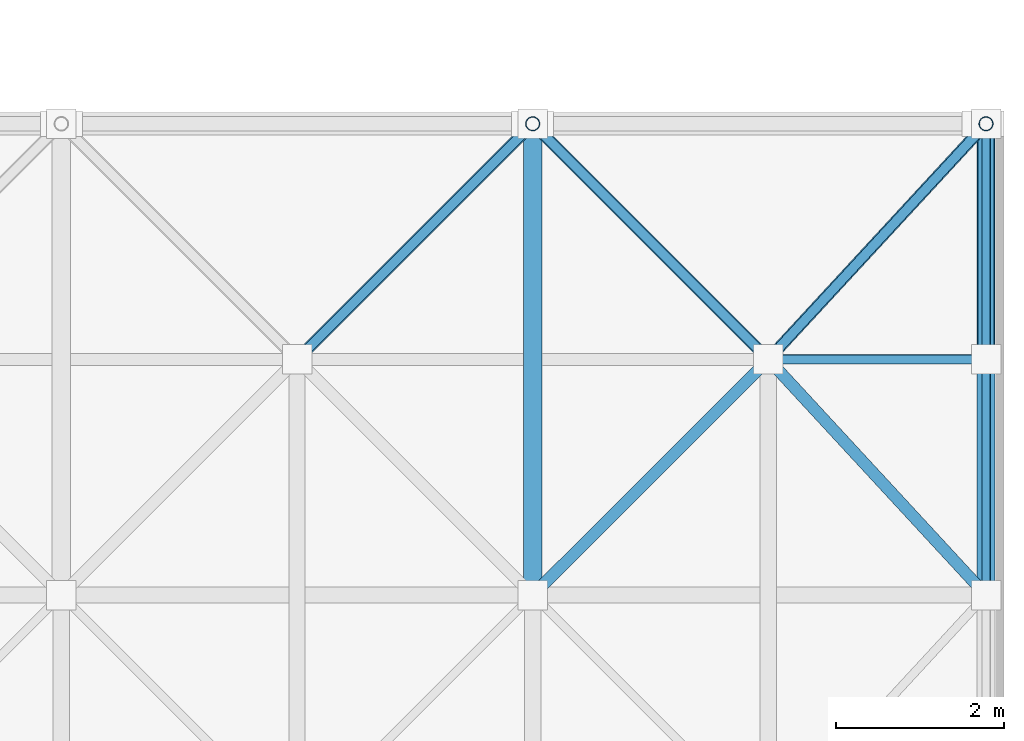
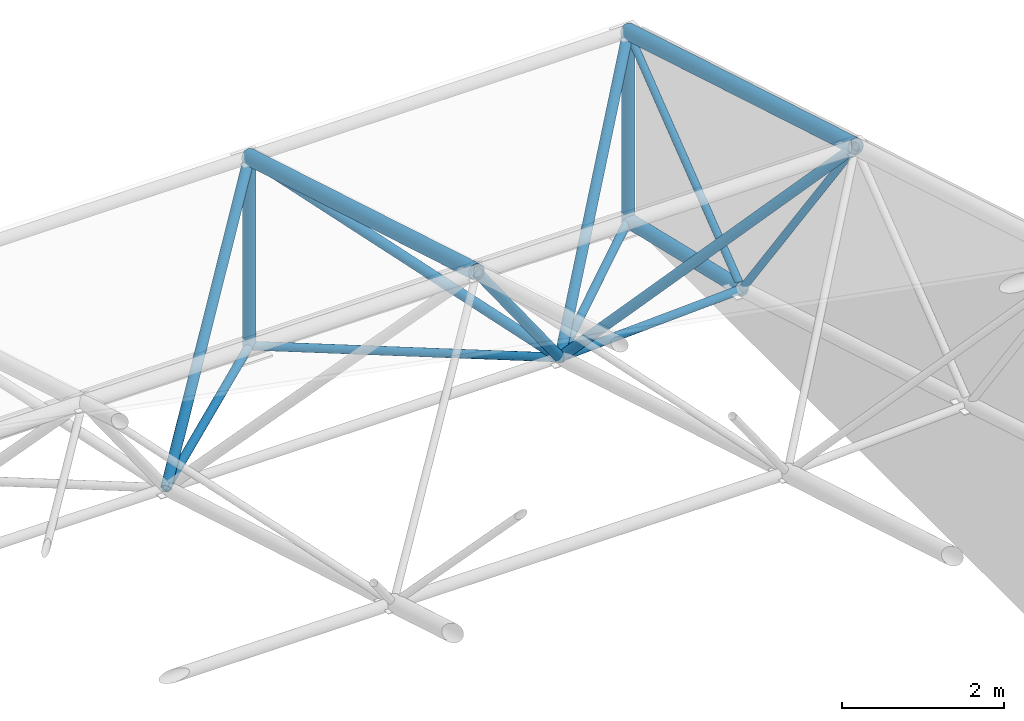
# One storey, part 45 of 100: 16 members.
"""IFC4 building model written with IfcOpenShell, lengths in metres."""

from ifc_helpers import new_model, si_unit, direction, frame, origin, origin_2d, place, context, subcontext, project, spatial, hollow_circle, extrude, material, material_profile, profile_set, type_object, element, save


model = new_model("IFC4")

# Units and contexts
model_context = context("Model", 3, precision=1e-05, world=origin(), true_north=direction((0.0, 1.0)))
body_context = subcontext(model_context, "Body", "Model", "MODEL_VIEW")
ifc_project = project(units=[si_unit("LENGTHUNIT", "METRE"), si_unit("AREAUNIT", "SQUARE_METRE"), si_unit("VOLUMEUNIT", "CUBIC_METRE"), si_unit("PLANEANGLEUNIT", "RADIAN"), si_unit("MASSUNIT", "GRAM", prefix="KILO")], contexts=[model_context])

# Site, building, storey
site_placement = place(None, origin())
site = spatial("IfcSite", under=ifc_project, at=site_placement, CompositionType="ELEMENT")
building_placement = place(site_placement, origin())
building = spatial("IfcBuilding", under=site, at=building_placement, Name="Kiln Court Media Centre", CompositionType="ELEMENT")
storey_placement = place(building_placement, frame((0.0, 0.0, 15.0)))
storey = spatial("IfcBuildingStorey", under=building, at=storey_placement, Name="L03", CompositionType="ELEMENT", Elevation=15.0)

# Members
ifc_material_1 = material(Name="Steel ASTM A500 Gr C", Category="steel")
ifc_material_profile_1 = material_profile(ifc_material_1, hollow_circle(Radius=0.05078125, WallThickness=0.0048828125, at=origin_2d()), Name="CHS 101.6x5.0")
ifc_profile_set_1 = profile_set([ifc_material_profile_1], Name="Steel ASTM A500 Gr C")
member_type_1 = type_object("IfcMemberType", Name="Steel ASTM A500 Gr C CHS 101.6x5.0 space frame brace", PredefinedType="BRACE", material=ifc_profile_set_1)
member_1_placement = place(storey_placement, frame((167.78662109375, 64.39990234375, 0.828125), z_axis=(0.0, -0.589283279785, 0.807926491808), x_axis=(1.0, 0.0, 0.0)))
element("IfcMember", 1, at=member_1_placement, inside=storey, type_object=member_type_1, Name="V2 roof gable diagonal east 6 space frame brace", PredefinedType="BRACE", context=body_context, shape_type="SweptSolid", body=[
    extrude(hollow_circle(Radius=0.05078125, WallThickness=0.0048828125, at=origin_2d()), origin(), (0.0, 0.0, 1.0), 4.751220703125),
])
member_2_placement = place(storey_placement, frame((167.78662109375, 64.39990234375, 0.828125), z_axis=(0.0, 0.790163964683, 0.612895512234), x_axis=(-1.0, 0.0, 0.0)))
element("IfcMember", 2, at=member_2_placement, inside=storey, type_object=member_type_1, Name="V2 roof gable diagonal east 6 space frame brace", PredefinedType="BRACE", context=body_context, shape_type="SweptSolid", body=[
    extrude(hollow_circle(Radius=0.05078125, WallThickness=0.0048828125, at=origin_2d()), origin(), (0.0, 0.0, 1.0), 3.543701171875),
])
ifc_material_2 = material(Name="Steel ASTM A500 Gr C", Category="steel")
ifc_material_profile_2 = material_profile(ifc_material_2, hollow_circle(Radius=0.05712890625, WallThickness=0.0048828125, at=origin_2d()), Name="CHS 114.3x5.0")
ifc_profile_set_2 = profile_set([ifc_material_profile_2], Name="Steel ASTM A500 Gr C")
member_type_2 = type_object("IfcMemberType", Name="Steel ASTM A500 Gr C CHS 114.3x5.0 space frame brace", PredefinedType="BRACE", material=ifc_profile_set_2)
member_3_placement = place(storey_placement, frame((162.39990234375, 67.199951171875, 0.16455078125), z_axis=(-0.700619159519, -0.700680252923, 0.134833143099), x_axis=(0.70713760873, -0.707075952299, 0.0)))
element("IfcMember", 3, at=member_3_placement, inside=storey, type_object=member_type_2, Name="V2 roof bearing tie last 9 space frame brace", PredefinedType="BRACE", context=body_context, shape_type="SweptSolid", body=[
    extrude(hollow_circle(Radius=0.05712890625, WallThickness=0.0048828125, at=origin_2d()), origin(), (0.0, 0.0, 1.0), 3.99609375),
])
member_4_placement = place(storey_placement, frame((162.39990234375, 67.199951171875, 0.16455078125), z_axis=(0.700650262178, -0.700650262178, 0.134827371927), x_axis=(0.707106781187, 0.707106781187, 0.0)))
element("IfcMember", 4, at=member_4_placement, inside=storey, type_object=member_type_2, Name="V2 roof bearing tie last 9 space frame brace", PredefinedType="BRACE", context=body_context, shape_type="SweptSolid", body=[
    extrude(hollow_circle(Radius=0.05712890625, WallThickness=0.0048828125, at=origin_2d()), origin(), (0.0, 0.0, 1.0), 3.996337890625),
])
member_5_placement = place(storey_placement, frame((167.78662109375, 67.199951171875, 0.16455078125), z_axis=(-0.671885889906, -0.727310926978, 0.139957730913), x_axis=(0.734540658712, -0.678564676873, 0.0)))
element("IfcMember", 5, at=member_5_placement, inside=storey, type_object=member_type_2, Name="V2 roof bearing tie last 10 space frame brace", PredefinedType="BRACE", context=body_context, shape_type="SweptSolid", body=[
    extrude(hollow_circle(Radius=0.05712890625, WallThickness=0.0048828125, at=origin_2d()), origin(), (0.0, 0.0, 1.0), 3.849853515625),
])
member_6_placement = place(storey_placement, frame((167.78662109375, 64.39990234375, 0.828125), z_axis=(-0.998838944421, 0.0, -0.048174299254), x_axis=(0.0, -1.0, 0.0)))
element("IfcMember", 6, at=member_6_placement, inside=storey, type_object=member_type_2, Name="V2 roof gable tie east 6 space frame brace", PredefinedType="BRACE", context=body_context, shape_type="SweptSolid", body=[
    extrude(hollow_circle(Radius=0.05712890625, WallThickness=0.0048828125, at=origin_2d()), origin(), (0.0, 0.0, 1.0), 2.589599609375),
])
ifc_material_3 = material(Name="Steel ASTM A500 Gr C", Category="steel")
ifc_material_profile_3 = material_profile(ifc_material_3, hollow_circle(Radius=0.06982421875, WallThickness=0.0048828125, at=origin_2d()), Name="CHS 139.7x5.0")
ifc_profile_set_3 = profile_set([ifc_material_profile_3], Name="Steel ASTM A500 Gr C")
member_type_3 = type_object("IfcMemberType", Name="Steel ASTM A500 Gr C CHS 139.7x5.0 space frame brace", PredefinedType="BRACE", material=ifc_profile_set_3)
member_7_placement = place(storey_placement, frame((159.60009765625, 64.39990234375, 0.703369140625), z_axis=(0.611642208339, 0.611695543028, 0.501719415229), x_axis=(-0.70713760873, 0.707075952299, 0.0)))
element("IfcMember", 7, at=member_7_placement, inside=storey, type_object=member_type_3, Name="V2 roof diagonal 6-8 space frame brace", PredefinedType="BRACE", context=body_context, shape_type="SweptSolid", body=[
    extrude(hollow_circle(Radius=0.06982421875, WallThickness=0.0048828125, at=origin_2d()), origin(), (0.0, 0.0, 1.0), 4.57763671875),
])
member_8_placement = place(storey_placement, frame((165.199951171875, 64.39990234375, 0.703369140625), z_axis=(-0.499789216589, -0.499745639188, 0.707435534232), x_axis=(0.707075952299, -0.70713760873, 0.0)))
element("IfcMember", 8, at=member_8_placement, inside=storey, type_object=member_type_3, Name="V2 roof diagonal 6-9 space frame brace", PredefinedType="BRACE", context=body_context, shape_type="SweptSolid", body=[
    extrude(hollow_circle(Radius=0.06982421875, WallThickness=0.0048828125, at=origin_2d()), origin(), (0.0, 0.0, 1.0), 5.6025390625),
])
member_9_placement = place(storey_placement, frame((165.199951171875, 64.39990234375, 0.703369140625), z_axis=(-0.611675588557, 0.611675588557, 0.501703048353), x_axis=(-0.707106781187, -0.707106781187, 0.0)))
element("IfcMember", 9, at=member_9_placement, inside=storey, type_object=member_type_3, Name="V2 roof diagonal 6-9 space frame brace", PredefinedType="BRACE", context=body_context, shape_type="SweptSolid", body=[
    extrude(hollow_circle(Radius=0.06982421875, WallThickness=0.0048828125, at=origin_2d()), origin(), (0.0, 0.0, 1.0), 4.57763671875),
])
member_10_placement = place(storey_placement, frame((165.199951171875, 64.39990234375, 0.703369140625), z_axis=(0.4703958449, -0.509155219378, 0.720755653242), x_axis=(0.734511166766, 0.678596600269, 0.0)))
element("IfcMember", 10, at=member_10_placement, inside=storey, type_object=member_type_3, Name="V2 roof diagonal 6-9 space frame brace", PredefinedType="BRACE", context=body_context, shape_type="SweptSolid", body=[
    extrude(hollow_circle(Radius=0.06982421875, WallThickness=0.0048828125, at=origin_2d()), origin(), (0.0, 0.0, 1.0), 5.4990234375),
])
member_11_placement = place(storey_placement, frame((165.199951171875, 64.39990234375, 0.703369140625), z_axis=(0.581227942307, 0.629174447411, 0.516055804935), x_axis=(-0.734540658712, 0.678564676873, 0.0)))
element("IfcMember", 11, at=member_11_placement, inside=storey, type_object=member_type_3, Name="V2 roof diagonal 6-9 space frame brace", PredefinedType="BRACE", context=body_context, shape_type="SweptSolid", body=[
    extrude(hollow_circle(Radius=0.06982421875, WallThickness=0.0048828125, at=origin_2d()), origin(), (0.0, 0.0, 1.0), 4.450439453125),
])
ifc_material_4 = material(Name="Steel ASTM A500 Gr C", Category="steel")
ifc_material_profile_4 = material_profile(ifc_material_4, hollow_circle(Radius=0.084228515625, WallThickness=0.00634765625, at=origin_2d()), Name="CHS 168.3x6.3")
ifc_profile_set_4 = profile_set([ifc_material_profile_4], Name="Steel ASTM A500 Gr C")
member_type_4 = type_object("IfcMemberType", Name="Steel ASTM A500 Gr C CHS 168.3x6.3 space frame strut", PredefinedType="STRUT", material=ifc_profile_set_4)
for number, where, z_axis, x_axis, name in (
    (12, (162.39990234375, 67.199951171875, 0.16455078125), (0.0, 0.0, 1.0), (1.0, 0.0, 0.0), "V2 roof bearing post last 9 space frame strut"),
    (13, (167.78662109375, 67.199951171875, 0.16455078125), (0.0, 0.0, 1.0), (1.0, 0.0, 0.0), "V2 roof bearing post last 10 space frame strut"),
):
    element("IfcMember", number, at=place(storey_placement, frame(where, z_axis=z_axis, x_axis=x_axis)), inside=storey, type_object=member_type_4, Name=name, PredefinedType="STRUT", context=body_context, shape_type="SweptSolid", body=[
        extrude(hollow_circle(Radius=0.084228515625, WallThickness=0.00634765625, at=origin_2d()), origin(), (0.0, 0.0, 1.0), 2.83544921875),
    ])
ifc_material_5 = material(Name="Steel ASTM A500 Gr C", Category="steel")
ifc_material_profile_5 = material_profile(ifc_material_5, hollow_circle(Radius=0.096923828125, WallThickness=0.008056640625, at=origin_2d()), Name="CHS 193.7x8.0")
ifc_profile_set_5 = profile_set([ifc_material_profile_5], Name="Steel ASTM A500 Gr C")
member_type_5 = type_object("IfcMemberType", Name="Steel ASTM A500 Gr C CHS 193.7x8.0 space frame chord", PredefinedType="CHORD", material=ifc_profile_set_5)
member_12_placement = place(storey_placement, frame((167.78662109375, 64.39990234375, 0.828125), z_axis=(0.0, 0.973048733976, -0.230599569182), x_axis=(-1.0, 0.0, 0.0)))
element("IfcMember", 14, at=member_12_placement, inside=storey, type_object=member_type_5, Name="V2 roof gable bottom chord east space frame chord", PredefinedType="CHORD", context=body_context, shape_type="SweptSolid", body=[
    extrude(hollow_circle(Radius=0.096923828125, WallThickness=0.008056640625, at=origin_2d()), origin(), (0.0, 0.0, 1.0), 2.877685546875),
])
ifc_material_6 = material(Name="Steel ASTM A500 Gr C", Category="steel")
ifc_material_profile_6 = material_profile(ifc_material_6, hollow_circle(Radius=0.109619140625, WallThickness=0.008056640625, at=origin_2d()), Name="CHS 219.1x8.0")
ifc_profile_set_6 = profile_set([ifc_material_profile_6], Name="Steel ASTM A500 Gr C")
member_type_6 = type_object("IfcMemberType", Name="Steel ASTM A500 Gr C CHS 219.1x8.0 space frame chord", PredefinedType="CHORD", material=ifc_profile_set_6)
for number, where, z_axis, x_axis, name in (
    (15, (162.39990234375, 61.60009765625, 4.666748046875), (0.0, 0.958446230045, -0.285273244649), (-1.0, 0.0, 0.0), "V2 roof top chord across line 9 space frame chord"),
    (16, (167.78662109375, 61.60009765625, 4.666748046875), (0.0, 0.958446230045, -0.285273244649), (-1.0, 0.0, 0.0), "V2 roof top chord across line 10 space frame chord"),
):
    element("IfcMember", number, at=place(storey_placement, frame(where, z_axis=z_axis, x_axis=x_axis)), inside=storey, type_object=member_type_6, Name=name, PredefinedType="CHORD", context=body_context, shape_type="SweptSolid", body=[
        extrude(hollow_circle(Radius=0.109619140625, WallThickness=0.008056640625, at=origin_2d()), origin(), (0.0, 0.0, 1.0), 5.842529296875),
    ])

save(model, "model.ifc")
